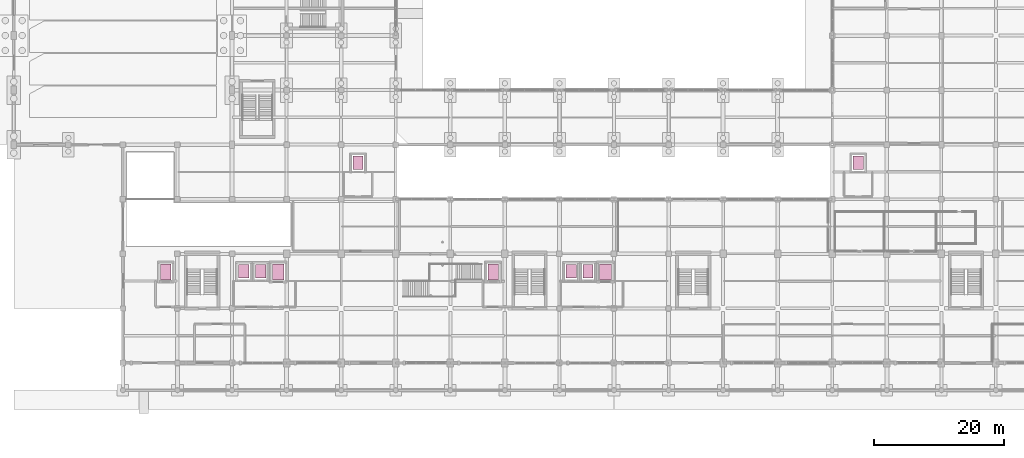
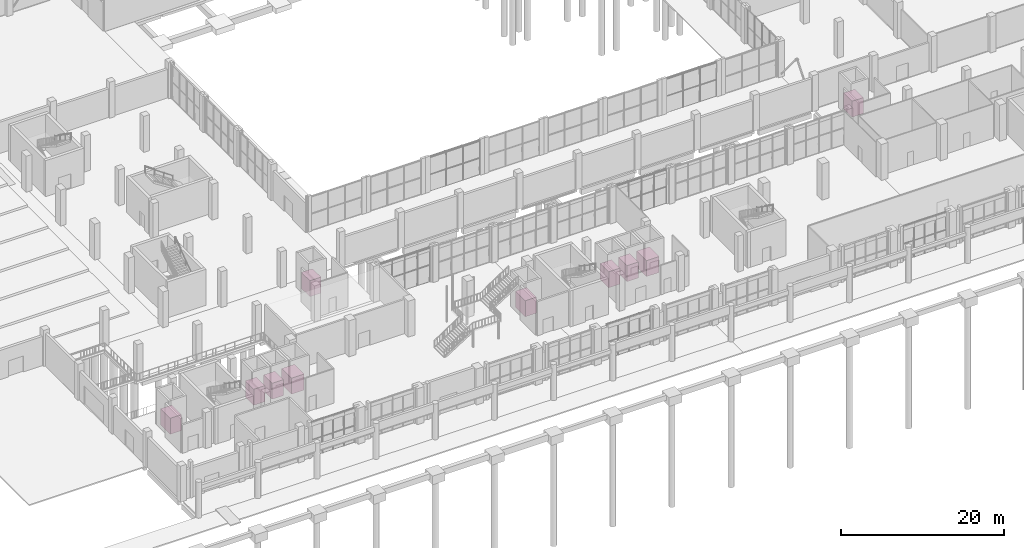
# One storey, part 82 of 82: 10 transport elements.
"""IFC4 building model written with IfcOpenShell, lengths in metres."""

import ifcopenshell
import ifcopenshell.guid

model = None  # the IFC model being written
_history = None  # IfcOwnerHistory: only IFC2X3 demands one
_inside = {}  # id of a spatial element -> (the spatial element, [elements in it])
_under = {}  # id of a project, library or spatial element -> (it, [spatial elements below it])
_declared = {}  # id of a project -> (the project, [libraries it declares])
_typed = {}  # id of a type object -> (the type object, [elements of that type])
_made_of = {}  # id of a material, layer set ... -> (it, [elements and type objects made of it])


def new_model(schema):
    """Start an empty IFC model of exactly this schema.

    Asked for "IFC4X3", IfcOpenShell would pick the latest addendum, in which some entities
    have other attributes; the version numbers below select the first issue.
    IFC2X3 requires an IfcOwnerHistory on every rooted entity: one is made here for all.
    """
    global model, _history
    if schema == "IFC4X3":
        model = ifcopenshell.file(schema_version=(4, 3, 0, 0))
    else:
        model = ifcopenshell.file(schema=schema)
    _inside.clear()
    _under.clear()
    _declared.clear()
    _typed.clear()
    _made_of.clear()
    _history = None
    if model.schema == "IFC2X3":
        org = make("IfcOrganization", Name="unknown")
        user = make(
            "IfcPersonAndOrganization",
            ThePerson=make("IfcPerson", FamilyName="unknown"),
            TheOrganization=org,
        )
        app = make(
            "IfcApplication",
            ApplicationDeveloper=org,
            Version="unknown",
            ApplicationFullName="unknown",
            ApplicationIdentifier="unknown",
        )
        _history = make(
            "IfcOwnerHistory",
            OwningUser=user,
            OwningApplication=app,
            ChangeAction="ADDED",
            CreationDate=0,
        )
    return model


def make(cls, **values):
    """One entity of the class cls with the attributes given. An attribute that is None is left unset."""
    return model.create_entity(
        cls, **{name: value for name, value in values.items() if value is not None}
    )


def rooted(cls, **values):
    """An entity with a GlobalId (a new one), such as an element, a storey or a relation."""
    return make(cls, GlobalId=ifcopenshell.guid.new(), OwnerHistory=_history, **values)


def si_unit(unit_type, name, prefix=None):
    """IfcSIUnit, for example si_unit("LENGTHUNIT", "METRE", prefix="MILLI")."""
    return make("IfcSIUnit", UnitType=unit_type, Prefix=prefix, Name=name)


def derived_unit(unit_type, elements):
    """IfcDerivedUnit: a product of units, each with its exponent."""
    return make(
        "IfcDerivedUnit",
        Elements=[
            make("IfcDerivedUnitElement", Unit=unit, Exponent=power)
            for unit, power in elements
        ],
        UnitType=unit_type,
    )


def assignment(units):
    """IfcUnitAssignment: the units of a project."""
    return None if units is None else make("IfcUnitAssignment", Units=units)


def point(xyz):
    """IfcCartesianPoint."""
    return None if xyz is None else make("IfcCartesianPoint", Coordinates=xyz)


def direction(xyz):
    """IfcDirection."""
    return None if xyz is None else make("IfcDirection", DirectionRatios=xyz)


def frame(location, z_axis=None, x_axis=None):
    """IfcAxis2Placement3D, a coordinate frame: its origin and axes. An axis left out is left unset."""
    return make(
        "IfcAxis2Placement3D",
        Location=point(location),
        Axis=direction(z_axis),
        RefDirection=direction(x_axis),
    )


def frame_2d(location, x_axis=None):
    """IfcAxis2Placement2D, a coordinate frame in the plane: its origin and x axis."""
    return make(
        "IfcAxis2Placement2D", Location=point(location), RefDirection=direction(x_axis)
    )


def origin():
    """The frame at (0, 0, 0) with its axes left unset."""
    return frame((0.0, 0.0, 0.0))


def origin_2d():
    """The frame at (0, 0) in the plane with its x axis left unset."""
    return frame_2d((0.0, 0.0))


def place(relative_to, where):
    """IfcLocalPlacement: puts the frame where relative to a parent placement (None: the world)."""
    return make(
        "IfcLocalPlacement", PlacementRelTo=relative_to, RelativePlacement=where
    )


def context(
    kind, dimensions, precision=None, world=None, true_north=None, identifier=None
):
    """IfcGeometricRepresentationContext, for example the 3D "Model" context."""
    return make(
        "IfcGeometricRepresentationContext",
        ContextIdentifier=identifier,
        ContextType=kind,
        CoordinateSpaceDimension=dimensions,
        Precision=precision,
        WorldCoordinateSystem=world,
        TrueNorth=true_north,
    )


def subcontext(parent, identifier, kind, view, scale=None):
    """IfcGeometricRepresentationSubContext, for example "Body" below "Model"."""
    return make(
        "IfcGeometricRepresentationSubContext",
        ContextIdentifier=identifier,
        ContextType=kind,
        ParentContext=parent,
        TargetScale=scale,
        TargetView=view,
    )


def project(units=None, contexts=None):
    """IfcProject with its units and contexts."""
    return rooted(
        "IfcProject",
        Name="project",
        RepresentationContexts=contexts,
        UnitsInContext=assignment(units),
    )


def spatial(cls, under=None, at=None, **own):
    """A site, building, storey or space (cls), placed at a placement, below another one or the project."""
    s = rooted(cls, ObjectPlacement=at, **own)
    if under is not None:
        _under.setdefault(under.id(), (under, []))[1].append(s)
    return s


def profile(cls, at=None, kind="AREA", **sizes):
    """A parametric profile (cls). Its sizes go by their IFC names, for example OverallWidth=200.0."""
    return make(cls, ProfileType=kind, Position=at, **sizes)


def rectangle(**sizes):
    """IfcRectangleProfileDef."""
    return profile("IfcRectangleProfileDef", **sizes)


def extrude(swept, where, along, depth):
    """IfcExtrudedAreaSolid: the profile swept, set in the frame where, extruded along a direction by depth."""
    return make(
        "IfcExtrudedAreaSolid",
        SweptArea=swept,
        Position=where,
        ExtrudedDirection=direction(along),
        Depth=depth,
    )


def shape(context_of_items, identifier, shape_type, items):
    """IfcShapeRepresentation: the items that make up one representation, for example the "Body"."""
    return make(
        "IfcShapeRepresentation",
        ContextOfItems=context_of_items,
        RepresentationIdentifier=identifier,
        RepresentationType=shape_type,
        Items=items,
    )


def material(Name=None, Category=None):
    """IfcMaterial."""
    return make("IfcMaterial", Name=Name, Category=Category)


def made_of(thing, what):
    """Note that an element or type object is made of a material, layer set ...; save() writes the relation."""
    if what is not None:
        _made_of.setdefault(what.id(), (what, []))[1].append(thing)
    return thing


def type_object(cls, material=None, **own):
    """A type object (cls), such as IfcWallType, which elements share."""
    return made_of(rooted(cls, **own), material)


def element(
    cls,
    number,
    at=None,
    inside=None,
    cuts=None,
    type_object=None,
    material=None,
    context=None,
    identifier="Body",
    shape_type=None,
    held_by="IfcProductDefinitionShape",
    body=None,
    shapes=None,
    **own,
):
    """One element of the class cls, such as IfcWall. Its Tag is "e" and its number.

    at: its placement. inside: the storey or other place that contains it. cuts: it is an
    opening in that element (IfcRelVoidsElement). A single representation is given by context,
    identifier, shape_type and body (its items); several are given by shapes. held_by: the class
    of the entity that holds the representations. save() writes the other relations.
    """
    e = rooted(cls, Tag="e%d" % number, ObjectPlacement=at, **own)
    if body is not None:
        shapes = [shape(context, identifier, shape_type, body)]
    if shapes is not None:
        e.Representation = make(held_by, Representations=shapes)
    if inside is not None:
        _inside.setdefault(inside.id(), (inside, []))[1].append(e)
    if cuts is not None:
        rooted(
            "IfcRelVoidsElement", RelatingBuildingElement=cuts, RelatedOpeningElement=e
        )
    if type_object is not None:
        _typed.setdefault(type_object.id(), (type_object, []))[1].append(e)
    return made_of(e, material)


def aggregate(whole, parts):
    """IfcRelAggregates: a whole, such as a stair, and the parts it consists of."""
    return rooted("IfcRelAggregates", RelatingObject=whole, RelatedObjects=parts)


def save(model, path):
    """Write the relations noted so far, then the file.

    IfcRelAggregates (storeys below a building ...), IfcRelContainedInSpatialStructure (elements
    in a storey), IfcRelDefinesByType, IfcRelAssociatesMaterial and IfcRelDeclares: one each for
    every whole, place, type object, material and project.
    """
    for whole, parts in _under.values():
        aggregate(whole, parts)
    for where, things in _inside.values():
        rooted(
            "IfcRelContainedInSpatialStructure",
            RelatedElements=things,
            RelatingStructure=where,
        )
    for kind, things in _typed.values():
        rooted("IfcRelDefinesByType", RelatedObjects=things, RelatingType=kind)
    for what, things in _made_of.values():
        rooted("IfcRelAssociatesMaterial", RelatedObjects=things, RelatingMaterial=what)
    for by, libraries in _declared.values():
        rooted("IfcRelDeclares", RelatingContext=by, RelatedDefinitions=libraries)
    model.write(path)


model = new_model("IFC4")

# Units and contexts
model_context = context("Model", 3, precision=1e-05, world=origin(), true_north=direction((0.0, 1.0)))
body_context = subcontext(model_context, "Body", "Model", "MODEL_VIEW")
ifc_project = project(units=[si_unit("LENGTHUNIT", "METRE"), si_unit("AREAUNIT", "SQUARE_METRE"), si_unit("VOLUMEUNIT", "CUBIC_METRE"), si_unit("PLANEANGLEUNIT", "RADIAN"), si_unit("MASSUNIT", "GRAM", prefix="KILO"), derived_unit("THERMALTRANSMITTANCEUNIT", [(si_unit("POWERUNIT", "WATT"), 1), (si_unit("LENGTHUNIT", "METRE"), -2), (si_unit("THERMODYNAMICTEMPERATUREUNIT", "KELVIN"), -1)])], contexts=[model_context])

# Site, building, storey
site_placement = place(None, origin())
site = spatial("IfcSite", under=ifc_project, at=site_placement, CompositionType="ELEMENT")
building_placement = place(site_placement, origin())
building = spatial("IfcBuilding", under=site, at=building_placement, Name="Barrovel Congress Hotel", CompositionType="ELEMENT")
storey_placement = place(building_placement, origin())
storey = spatial("IfcBuildingStorey", under=building, at=storey_placement, Name="L00", CompositionType="ELEMENT", Elevation=0.0)

# Transport elements
ifc_material = material(Name="Brushed Stainless Steel", Category="steel")
transport_element_type_1 = type_object("IfcTransportElementType", Name="LIFT-CON-1600", PredefinedType="ELEVATOR", material=ifc_material)
for number, where, z_axis, x_axis, name in (
    (1, (53.0, 35.0, 0.0), (0.0, 0.0, 1.0), (1.0, 0.0, 0.0), "Elevator CL-1"),
    (2, (130.0, 35.0, 0.0), (0.0, 0.0, 1.0), (1.0, 0.0, 0.0), "Elevator CL-2"),
):
    element("IfcTransportElement", number, at=place(storey_placement, frame(where, z_axis=z_axis, x_axis=x_axis)), inside=storey, type_object=transport_element_type_1, Name=name, PredefinedType="ELEVATOR", context=body_context, shape_type="SweptSolid", body=[
        extrude(rectangle(XDim=1.60009765625, YDim=2.10009765625, at=origin_2d()), origin(), (0.0, 0.0, 1.0), 2.39990234375),
    ])
transport_element_type_2 = type_object("IfcTransportElementType", Name="LIFT-FF-1800", PredefinedType="ELEVATOR", material=ifc_material)
for number, where, z_axis, x_axis, name in (
    (3, (23.39990234375, 18.199951171875, 0.0), (0.0, 0.0, 1.0), (1.0, 0.0, 0.0), "Elevator FL-1"),
    (4, (73.800048828125, 18.199951171875, 0.0), (0.0, 0.0, 1.0), (1.0, 0.0, 0.0), "Elevator FL-2"),
):
    element("IfcTransportElement", number, at=place(storey_placement, frame(where, z_axis=z_axis, x_axis=x_axis)), inside=storey, type_object=transport_element_type_2, Name=name, PredefinedType="ELEVATOR", context=body_context, shape_type="SweptSolid", body=[
        extrude(rectangle(XDim=1.60009765625, YDim=2.39990234375, at=origin_2d()), origin(), (0.0, 0.0, 1.0), 2.39990234375),
    ])
transport_element_type_3 = type_object("IfcTransportElementType", Name="LIFT-PAX-1600", PredefinedType="ELEVATOR", material=ifc_material)
for number, where, z_axis, x_axis, name in (
    (5, (35.39990234375, 18.300048828125, 0.0), (0.0, 0.0, 1.0), (1.0, 0.0, 0.0), "Elevator PL-1"),
    (6, (38.0, 18.300048828125, 0.0), (0.0, 0.0, 1.0), (1.0, 0.0, 0.0), "Elevator PL-2"),
    (7, (85.800048828125, 18.300048828125, 0.0), (0.0, 0.0, 1.0), (1.0, 0.0, 0.0), "Elevator PL-3"),
    (8, (88.39990234375, 18.300048828125, 0.0), (0.0, 0.0, 1.0), (1.0, 0.0, 0.0), "Elevator PL-4"),
):
    element("IfcTransportElement", number, at=place(storey_placement, frame(where, z_axis=z_axis, x_axis=x_axis)), inside=storey, type_object=transport_element_type_3, Name=name, PredefinedType="ELEVATOR", context=body_context, shape_type="SweptSolid", body=[
        extrude(rectangle(XDim=1.60009765625, YDim=2.10009765625, at=origin_2d()), origin(), (0.0, 0.0, 1.0), 2.39990234375),
    ])
transport_element_type_4 = type_object("IfcTransportElementType", Name="LIFT-SRV-2500", PredefinedType="ELEVATOR", material=ifc_material)
for number, where, z_axis, x_axis, name in (
    (9, (40.699951171875, 18.199951171875, 0.0), (0.0, 0.0, 1.0), (1.0, 0.0, 0.0), "Elevator SL-1"),
    (10, (91.10009765625, 18.199951171875, 0.0), (0.0, 0.0, 1.0), (1.0, 0.0, 0.0), "Elevator SL-2"),
):
    element("IfcTransportElement", number, at=place(storey_placement, frame(where, z_axis=z_axis, x_axis=x_axis)), inside=storey, type_object=transport_element_type_4, Name=name, PredefinedType="ELEVATOR", context=body_context, shape_type="SweptSolid", body=[
        extrude(rectangle(XDim=1.800048828125, YDim=2.39990234375, at=origin_2d()), origin(), (0.0, 0.0, 1.0), 2.39990234375),
    ])

save(model, "model.ifc")
